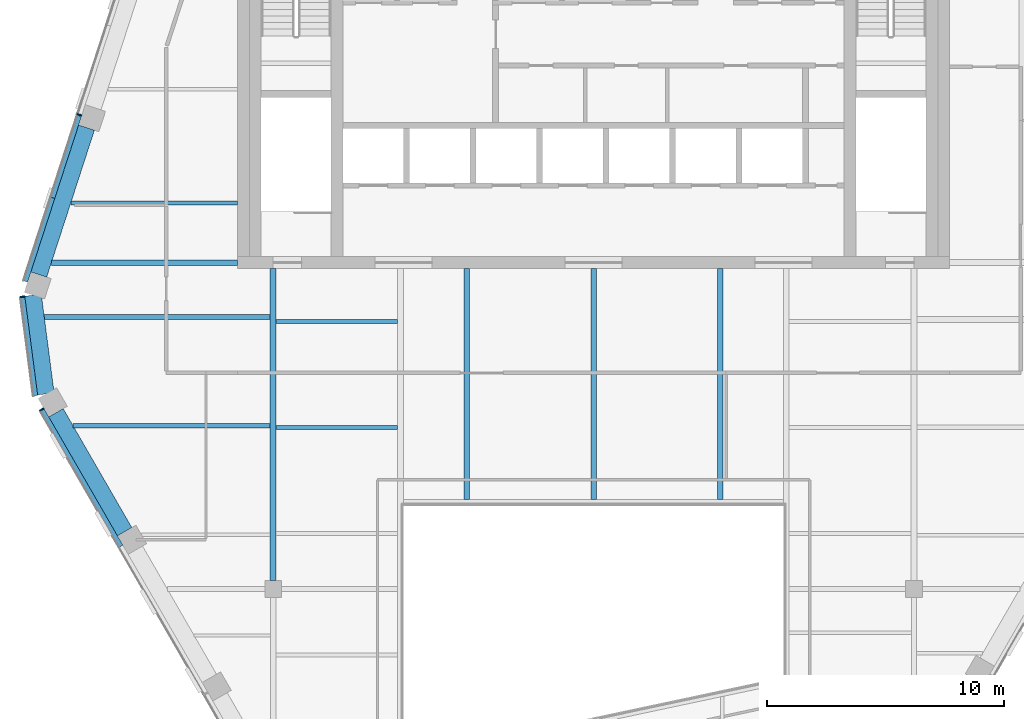
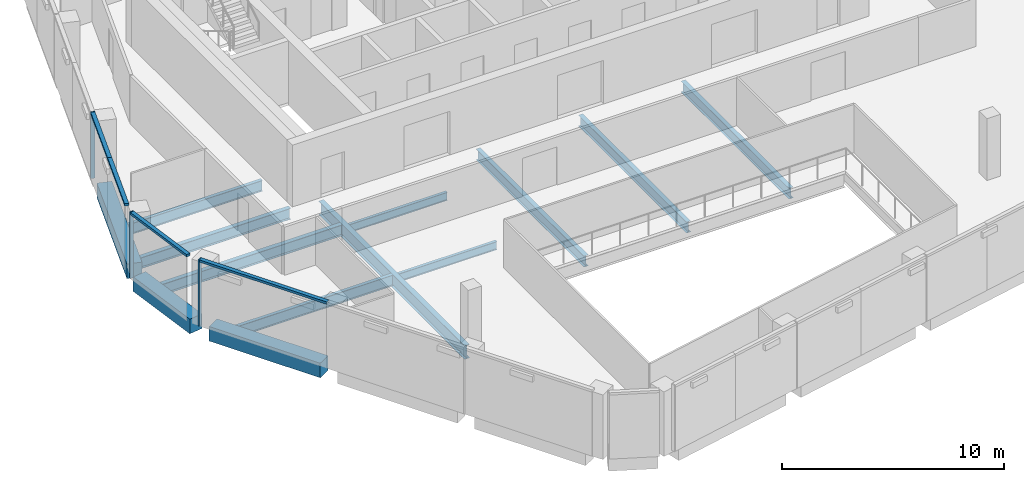
# One storey, part 3 of 13: 13 beams, 7 members, 3 elements without a shape of their own.
"""IFC4 building model written with IfcOpenShell, lengths in metres."""

from ifc_helpers import new_model, si_unit, direction, frame, origin, origin_2d, place, context, subcontext, project, spatial, rectangle, i_section, extrude, material, layer, layer_set, material_profile, profile_set, type_object, element, aggregate, save


model = new_model("IFC4")

# Units and contexts
model_context = context("Model", 3, precision=1e-05, world=origin(), true_north=direction((0.0, 1.0)))
body_context = subcontext(model_context, "Body", "Model", "MODEL_VIEW")
ifc_project = project(units=[si_unit("LENGTHUNIT", "METRE"), si_unit("AREAUNIT", "SQUARE_METRE"), si_unit("VOLUMEUNIT", "CUBIC_METRE"), si_unit("PLANEANGLEUNIT", "RADIAN"), si_unit("MASSUNIT", "GRAM", prefix="KILO")], contexts=[model_context])

# Site, building, storey
site_placement = place(None, origin())
site = spatial("IfcSite", under=ifc_project, at=site_placement, CompositionType="ELEMENT")
building_placement = place(site_placement, origin())
building = spatial("IfcBuilding", under=site, at=building_placement, Name="Isthmus Gate Tower", CompositionType="ELEMENT")
storey_placement = place(building_placement, frame((0.0, 0.0, 297.449951171875)))
storey = spatial("IfcBuildingStorey", under=building, at=storey_placement, Name="L76", CompositionType="ELEMENT", Elevation=297.449951171875)

# Curtain wall, member
ifc_material_1 = material(Name="Aluminium, pale champagne anodised", Category="aluminium")
ifc_layer = layer(ifc_material_1, 0.199951171875)
ifc_layer_set = layer_set([ifc_layer], Name="CW-1 UNITISED CURTAIN WALL 200 DEEP")
curtain_wall_type = type_object("IfcCurtainWallType", Name="CW-1 UNITISED CURTAIN WALL 200 DEEP", PredefinedType="NOTDEFINED", material=ifc_layer_set)
curtain_wall_1_placement = place(storey_placement, origin())
curtain_wall_1 = element("IfcCurtainWall", 1, at=curtain_wall_1_placement, inside=storey, type_object=curtain_wall_type, Name="CW-1 NW L76", PredefinedType="NOTDEFINED")
ifc_material_2 = material(Name="Aluminium, pale champagne anodised", Category="aluminium")
ifc_material_profile_1 = material_profile(ifc_material_2, rectangle(XDim=0.06005859375, YDim=0.199951171875, at=origin_2d()), Name="60x200")
ifc_profile_set_1 = profile_set([ifc_material_profile_1], Name="Aluminium, pale champagne anodised")
member_type_1 = type_object("IfcMemberType", Name="CW-1 MULLION 60 X 200", PredefinedType="MULLION", material=ifc_profile_set_1)
member_1_placement = place(storey_placement, frame((-21.6572265625, 6.47265625, 0.0), z_axis=(0.0, 0.0, 1.0), x_axis=(-0.309016994375, -0.951056516295, 0.0)))
member_1 = element("IfcMember", 2, at=member_1_placement, type_object=member_type_1, Name="CW-1 mullion", PredefinedType="MULLION", context=body_context, shape_type="SweptSolid", body=[
    extrude(rectangle(XDim=0.06005859375, YDim=0.199951171875, at=origin_2d()), origin(), (0.0, 0.0, 1.0), 3.650146484375),
])

curtain_wall_2_placement = place(storey_placement, origin())
curtain_wall_2 = element("IfcCurtainWall", 3, at=curtain_wall_2_placement, inside=storey, type_object=curtain_wall_type, Name="CW-1 NW-SW L76", PredefinedType="NOTDEFINED")
member_2_placement = place(storey_placement, frame((-24.0576171875, -1.18603515625, 0.0), z_axis=(0.0, 0.0, 1.0), x_axis=(0.129164534, -0.991623175988, 0.0)))
member_2 = element("IfcMember", 4, at=member_2_placement, type_object=member_type_1, Name="CW-1 mullion", PredefinedType="MULLION", context=body_context, shape_type="SweptSolid", body=[
    extrude(rectangle(XDim=0.06005859375, YDim=0.199951171875, at=origin_2d()), origin(), (0.0, 0.0, 1.0), 3.650146484375),
])

curtain_wall_3_placement = place(storey_placement, origin())
curtain_wall_3 = element("IfcCurtainWall", 5, at=curtain_wall_3_placement, inside=storey, type_object=curtain_wall_type, Name="CW-1 SW L76", PredefinedType="NOTDEFINED")
member_3_placement = place(storey_placement, frame((-23.244873046875, -5.938720703125, 0.0), z_axis=(0.0, 0.0, 1.0), x_axis=(0.5, -0.866025403784, 0.0)))
member_3 = element("IfcMember", 6, at=member_3_placement, type_object=member_type_1, Name="CW-1 mullion", PredefinedType="MULLION", context=body_context, shape_type="SweptSolid", body=[
    extrude(rectangle(XDim=0.06005859375, YDim=0.199951171875, at=origin_2d()), origin(), (0.0, 0.0, 1.0), 3.650146484375),
])

# Member
ifc_material_3 = material(Name="Aluminium, pale champagne anodised", Category="aluminium")
ifc_material_profile_2 = material_profile(ifc_material_3, rectangle(XDim=0.199951171875, YDim=0.1298828125, at=origin_2d()), Name="200x130")
ifc_profile_set_2 = profile_set([ifc_material_profile_2], Name="Aluminium, pale champagne anodised")
member_type_2 = type_object("IfcMemberType", Name="CW-1 TRANSOM 200 X 130", PredefinedType="USERDEFINED", material=ifc_profile_set_2)
member_4_placement = place(storey_placement, frame((-21.66650390625, 6.4443359375, 3.5849609375), z_axis=(-0.30898152177, -0.951068041312, 0.0), x_axis=(0.951068041312, -0.30898152177, 0.0)))
member_4 = element("IfcMember", 7, at=member_4_placement, type_object=member_type_2, Name="CW-1 transom", ObjectType="TRANSOM", PredefinedType="USERDEFINED", context=body_context, shape_type="SweptSolid", body=[
    extrude(rectangle(XDim=0.199951171875, YDim=0.1298828125, at=origin_2d()), origin(), (0.0, 0.0, 1.0), 3.643310546875),
])

member_5_placement = place(storey_placement, frame((-22.792236328125, 2.979248046875, 3.5849609375), z_axis=(-0.309039863592, -0.951049085332, 0.0), x_axis=(0.951049085332, -0.309039863592, 0.0)))
member_5 = element("IfcMember", 8, at=member_5_placement, type_object=member_type_2, Name="CW-1 transom", ObjectType="TRANSOM", PredefinedType="USERDEFINED", context=body_context, shape_type="SweptSolid", body=[
    extrude(rectangle(XDim=0.199951171875, YDim=0.1298828125, at=origin_2d()), origin(), (0.0, 0.0, 1.0), 3.70361328125),
])

aggregate(curtain_wall_1, [member_1, member_4, member_5])

member_6_placement = place(storey_placement, frame((-24.0537109375, -1.215576171875, 3.5849609375), z_axis=(0.129149481977, -0.991625136483, 0.0), x_axis=(0.991625136483, 0.129149481977, 0.0)))
member_6 = element("IfcMember", 9, at=member_6_placement, type_object=member_type_2, Name="CW-1 transom", ObjectType="TRANSOM", PredefinedType="USERDEFINED", context=body_context, shape_type="SweptSolid", body=[
    extrude(rectangle(XDim=0.199951171875, YDim=0.1298828125, at=origin_2d()), origin(), (0.0, 0.0, 1.0), 4.181396484375),
])

aggregate(curtain_wall_2, [member_2, member_6])

member_7_placement = place(storey_placement, frame((-23.22998046875, -5.964599609375, 3.5849609375), z_axis=(0.49999574405, -0.866027860944, 0.0), x_axis=(0.866027860944, 0.49999574405, 0.0)))
member_7 = element("IfcMember", 10, at=member_7_placement, type_object=member_type_2, Name="CW-1 transom", ObjectType="TRANSOM", PredefinedType="USERDEFINED", context=body_context, shape_type="SweptSolid", body=[
    extrude(rectangle(XDim=0.199951171875, YDim=0.1298828125, at=origin_2d()), origin(), (0.0, 0.0, 1.0), 6.62451171875),
])

aggregate(curtain_wall_3, [member_3, member_7])

# Beams
ifc_material_4 = material(Name="Concrete f'c 50 MPa", Category="concrete")
ifc_material_profile_3 = material_profile(ifc_material_4, rectangle(XDim=0.699951171875, YDim=0.800048828125, at=origin_2d()), Name="RC 700X800")
ifc_profile_set_3 = profile_set([ifc_material_profile_3], Name="Concrete f'c 50 MPa")
beam_type_1 = type_object("IfcBeamType", Name="RC SPANDREL 700 X 800", PredefinedType="SPANDREL", material=ifc_profile_set_3)
beam_1_placement = place(storey_placement, frame((-19.7529296875, -11.0869140625, -0.39990234375), z_axis=(-0.500011073467, 0.866019010421, 0.0), x_axis=(-0.866019010421, -0.500011073467, 0.0)))
element("IfcBeam", 11, at=beam_1_placement, inside=storey, type_object=beam_type_1, Name="str-spandrel-L76-15", PredefinedType="SPANDREL", context=body_context, shape_type="SweptSolid", body=[
    extrude(rectangle(XDim=0.699951171875, YDim=0.800048828125, at=origin_2d()), origin(), (0.0, 0.0, 1.0), 5.784423828125),
])
beam_2_placement = place(storey_placement, frame((-23.070068359375, -5.283447265625, -0.39990234375), z_axis=(-0.129137748309, 0.991626664608, 0.0), x_axis=(-0.991626664608, -0.129137748309, 0.0)))
element("IfcBeam", 12, at=beam_2_placement, inside=storey, type_object=beam_type_1, Name="str-spandrel-L76-16", PredefinedType="SPANDREL", context=body_context, shape_type="SweptSolid", body=[
    extrude(rectangle(XDim=0.699951171875, YDim=0.800048828125, at=origin_2d()), origin(), (0.0, 0.0, 1.0), 4.197021484375),
])
beam_3_placement = place(storey_placement, frame((-23.36962890625, -0.254150390625, -0.39990234375), z_axis=(0.30901480678, 0.951057227085, 0.0), x_axis=(-0.951057227085, 0.30901480678, 0.0)))
element("IfcBeam", 13, at=beam_3_placement, inside=storey, type_object=beam_type_1, Name="str-spandrel-L76-17", PredefinedType="SPANDREL", context=body_context, shape_type="SweptSolid", body=[
    extrude(rectangle(XDim=0.699951171875, YDim=0.800048828125, at=origin_2d()), origin(), (0.0, 0.0, 1.0), 6.5068359375),
])
ifc_material_5 = material(Name="Structural steel ASTM A992 Gr 50", Category="steel")
ifc_material_profile_4 = material_profile(ifc_material_5, i_section(OverallWidth=0.15234375, OverallDepth=0.45068359375, WebThickness=0.0078125, FlangeThickness=0.010986328125, at=origin_2d()), Name="W18X35")
ifc_profile_set_4 = profile_set([ifc_material_profile_4], Name="Structural steel ASTM A992 Gr 50")
beam_type_2 = type_object("IfcBeamType", Name="STEEL FLOOR BEAM W18X35", PredefinedType="JOIST", material=ifc_profile_set_4)
for number, where, z_axis, x_axis, name in (
    (14, (-13.3681640625, -6.697509765625, -0.375244140625), (1.0, 0.0, 0.0), (0.0, 1.0, 0.0), "str-beam-L76-03-01"),
    (15, (-13.3681640625, -2.232421875, -0.375244140625), (1.0, 0.0, 0.0), (0.0, 1.0, 0.0), "str-beam-L76-03-02"),
):
    element("IfcBeam", number, at=place(storey_placement, frame(where, z_axis=z_axis, x_axis=x_axis)), inside=storey, type_object=beam_type_2, Name=name, PredefinedType="JOIST", context=body_context, shape_type="SweptSolid", body=[
        extrude(i_section(OverallWidth=0.15234375, OverallDepth=0.45068359375, WebThickness=0.0078125, FlangeThickness=0.010986328125, at=origin_2d()), origin(), (0.0, 0.0, 1.0), 5.1142578125),
    ])
ifc_material_6 = material(Name="Structural steel ASTM A992 Gr 50", Category="steel")
ifc_material_profile_5 = material_profile(ifc_material_6, i_section(OverallWidth=0.177734375, OverallDepth=0.60009765625, WebThickness=0.009521484375, FlangeThickness=0.0126953125, at=origin_2d()), Name="W24X55")
ifc_profile_set_5 = profile_set([ifc_material_profile_5], Name="Structural steel ASTM A992 Gr 50")
beam_type_3 = type_object("IfcBeamType", Name="STEEL FLOOR BEAM W24X55", PredefinedType="JOIST", material=ifc_profile_set_5)
beam_4_placement = place(storey_placement, frame((-22.021728515625, 2.761962890625, -0.449951171875), z_axis=(1.0, 0.0, 0.0), x_axis=(0.0, 1.0, 0.0)))
element("IfcBeam", 16, at=beam_4_placement, inside=storey, type_object=beam_type_3, Name="str-beam-L76-00-00", PredefinedType="JOIST", context=body_context, shape_type="SweptSolid", body=[
    extrude(i_section(OverallWidth=0.177734375, OverallDepth=0.60009765625, WebThickness=0.009521484375, FlangeThickness=0.0126953125, at=origin_2d()), origin(), (0.0, 0.0, 1.0), 7.021728515625),
])
beam_5_placement = place(storey_placement, frame((-21.9248046875, -6.625, -0.449951171875), z_axis=(1.0, 0.0, 0.0), x_axis=(0.0, 1.0, 0.0)))
element("IfcBeam", 17, at=beam_5_placement, inside=storey, type_object=beam_type_3, Name="str-beam-L76-01-01", PredefinedType="JOIST", context=body_context, shape_type="SweptSolid", body=[
    extrude(i_section(OverallWidth=0.177734375, OverallDepth=0.60009765625, WebThickness=0.009521484375, FlangeThickness=0.0126953125, at=origin_2d()), origin(), (0.0, 0.0, 1.0), 8.29296875),
])
ifc_material_7 = material(Name="Structural steel ASTM A992 Gr 50", Category="steel")
ifc_material_profile_6 = material_profile(ifc_material_7, i_section(OverallWidth=0.228515625, OverallDepth=0.603271484375, WebThickness=0.010986328125, FlangeThickness=0.014404296875, at=origin_2d()), Name="W24X68")
ifc_profile_set_6 = profile_set([ifc_material_profile_6], Name="Structural steel ASTM A992 Gr 50")
beam_type_4 = type_object("IfcBeamType", Name="STEEL FLOOR BEAM W24X68", PredefinedType="JOIST", material=ifc_profile_set_6)
beam_6_placement = place(storey_placement, frame((-23.139404296875, -2.041748046875, -0.45166015625), z_axis=(1.0, 0.0, 0.0), x_axis=(0.0, 1.0, 0.0)))
element("IfcBeam", 18, at=beam_6_placement, inside=storey, type_object=beam_type_4, Name="str-beam-L76-01-02", PredefinedType="JOIST", context=body_context, shape_type="SweptSolid", body=[
    extrude(i_section(OverallWidth=0.228515625, OverallDepth=0.603271484375, WebThickness=0.010986328125, FlangeThickness=0.014404296875, at=origin_2d()), origin(), (0.0, 0.0, 1.0), 9.507568359375),
])
for number, where, z_axis, x_axis, name in (
    (19, (-5.333251953125, -9.7333984375, -0.45166015625), (0.0, 1.0, 0.0), (-1.0, 0.0, 0.0), "str-beam-L76-06-00"),
    (20, (0.0, -9.7333984375, -0.45166015625), (0.0, 1.0, 0.0), (-1.0, 0.0, 0.0), "str-beam-L76-06-01"),
    (21, (5.333251953125, -9.7333984375, -0.45166015625), (0.0, 1.0, 0.0), (-1.0, 0.0, 0.0), "str-beam-L76-06-02"),
):
    element("IfcBeam", number, at=place(storey_placement, frame(where, z_axis=z_axis, x_axis=x_axis)), inside=storey, type_object=beam_type_4, Name=name, PredefinedType="JOIST", context=body_context, shape_type="SweptSolid", body=[
        extrude(i_section(OverallWidth=0.228515625, OverallDepth=0.603271484375, WebThickness=0.010986328125, FlangeThickness=0.014404296875, at=origin_2d()), origin(), (0.0, 0.0, 1.0), 9.7333984375),
    ])
ifc_material_8 = material(Name="Structural steel ASTM A992 Gr 50", Category="steel")
ifc_material_profile_7 = material_profile(ifc_material_8, i_section(OverallWidth=0.228515625, OverallDepth=0.603271484375, WebThickness=0.010986328125, FlangeThickness=0.014404296875, at=origin_2d()), Name="W24X68")
ifc_profile_set_7 = profile_set([ifc_material_profile_7], Name="Structural steel ASTM A992 Gr 50")
beam_type_5 = type_object("IfcBeamType", Name="STEEL GIRDER W24X68", PredefinedType="BEAM", material=ifc_profile_set_7)
beam_7_placement = place(storey_placement, frame((-15.0, 0.25, -0.45166015625), z_axis=(-1.0, 0.0, 0.0), x_axis=(0.0, -1.0, 0.0)))
element("IfcBeam", 22, at=beam_7_placement, inside=storey, type_object=beam_type_5, Name="str-girder-L76-09", PredefinedType="BEAM", context=body_context, shape_type="SweptSolid", body=[
    extrude(i_section(OverallWidth=0.228515625, OverallDepth=0.603271484375, WebThickness=0.010986328125, FlangeThickness=0.014404296875, at=origin_2d()), origin(), (0.0, 0.0, 1.0), 7.837890625),
])
ifc_material_9 = material(Name="Structural steel ASTM A992 Gr 50", Category="steel")
ifc_material_profile_8 = material_profile(ifc_material_9, i_section(OverallWidth=0.263427734375, OverallDepth=0.749267578125, WebThickness=0.0126953125, FlangeThickness=0.015869140625, at=origin_2d()), Name="W30X90")
ifc_profile_set_8 = profile_set([ifc_material_profile_8], Name="Structural steel ASTM A992 Gr 50")
beam_type_6 = type_object("IfcBeamType", Name="STEEL GIRDER W30X90", PredefinedType="BEAM", material=ifc_profile_set_8)
beam_8_placement = place(storey_placement, frame((-13.5, -13.14990234375, -0.524658203125), z_axis=(0.0, 1.0, 0.0), x_axis=(-1.0, 0.0, 0.0)))
element("IfcBeam", 23, at=beam_8_placement, inside=storey, type_object=beam_type_6, Name="str-girder-L76-06", PredefinedType="BEAM", context=body_context, shape_type="SweptSolid", body=[
    extrude(i_section(OverallWidth=0.263427734375, OverallDepth=0.749267578125, WebThickness=0.0126953125, FlangeThickness=0.015869140625, at=origin_2d()), origin(), (0.0, 0.0, 1.0), 13.14990234375),
])

save(model, "model.ifc")
